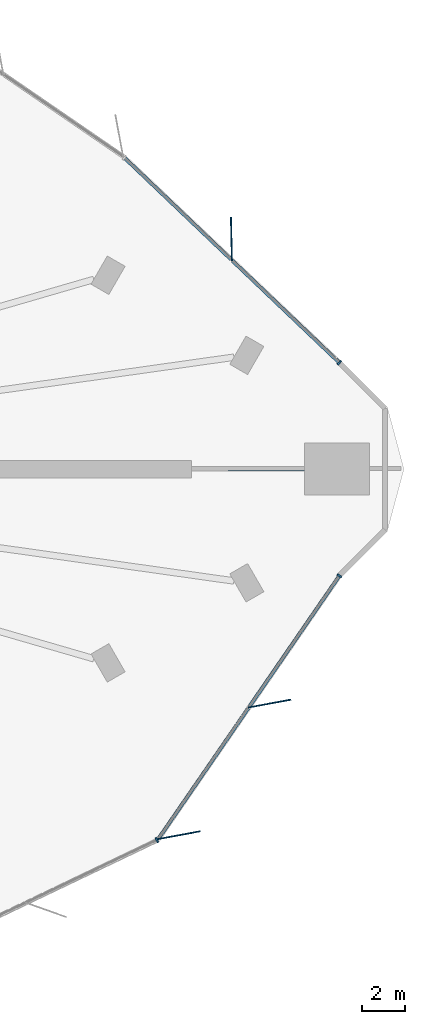
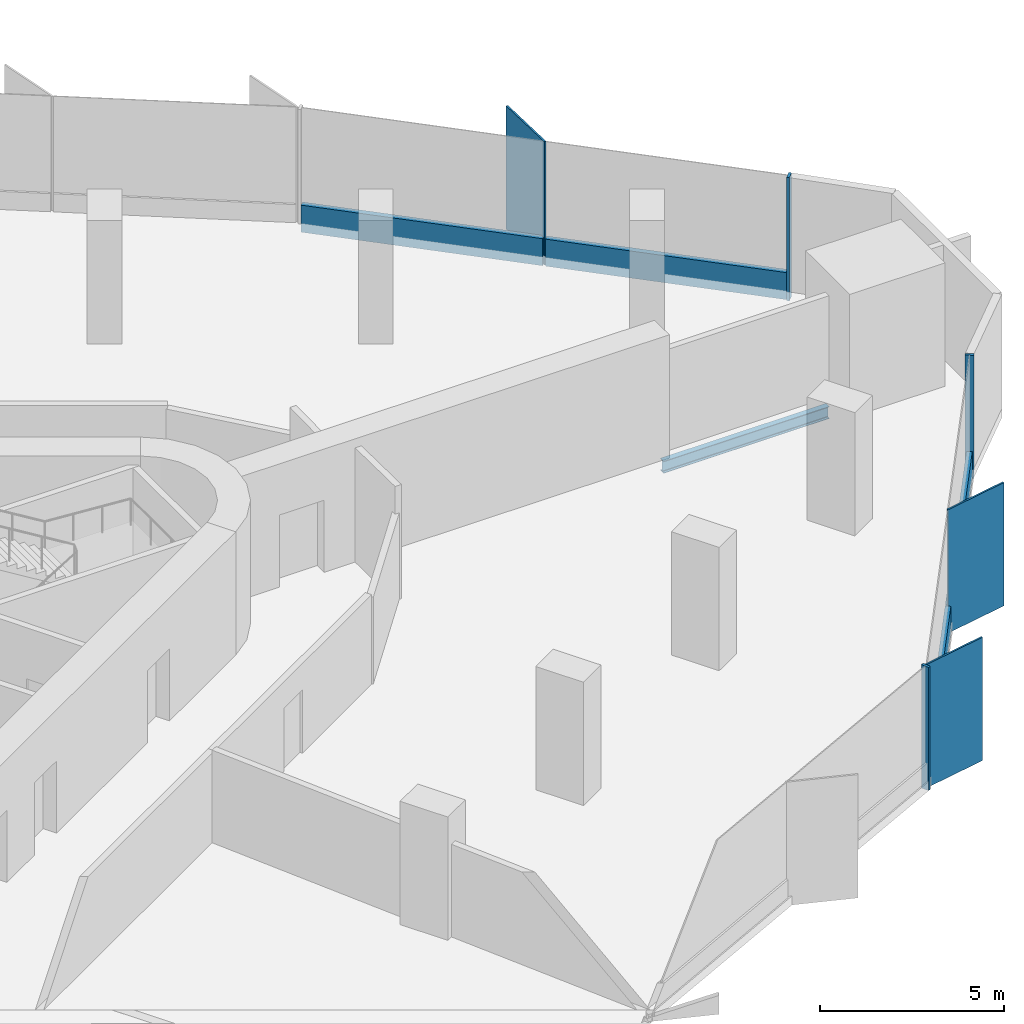
# One storey, part 6 of 14: 10 members, 1 beam, 3 elements without a shape of their own.
"""IFC4 building model written with IfcOpenShell, lengths in metres."""

from ifc_helpers import new_model, si_unit, direction, frame, origin, origin_2d, place, context, subcontext, project, spatial, rectangle, i_section, extrude, material, material_profile, profile_set, type_object, element, aggregate, save


model = new_model("IFC4")

# Units and contexts
model_context = context("Model", 3, precision=1e-05, world=origin(), true_north=direction((0.0, 1.0)))
body_context = subcontext(model_context, "Body", "Model", "MODEL_VIEW")
ifc_project = project(units=[si_unit("LENGTHUNIT", "METRE"), si_unit("AREAUNIT", "SQUARE_METRE"), si_unit("VOLUMEUNIT", "CUBIC_METRE"), si_unit("PLANEANGLEUNIT", "RADIAN"), si_unit("MASSUNIT", "GRAM", prefix="KILO")], contexts=[model_context])

# Site, building, storey
site_placement = place(None, origin())
site = spatial("IfcSite", under=ifc_project, at=site_placement, CompositionType="ELEMENT")
building_placement = place(site_placement, origin())
building = spatial("IfcBuilding", under=site, at=building_placement, Name="Tanit Gate Tower", CompositionType="ELEMENT")
storey_placement = place(building_placement, frame((0.0, 0.0, 90.60009765625)))
storey = spatial("IfcBuildingStorey", under=building, at=storey_placement, Name="L18", CompositionType="ELEMENT", Elevation=90.60009765625)

# Curtain wall, member
ifc_material_1 = material(Name="Aluminium bronze anodised and glass", Category="aluminium")
curtain_wall_type = type_object("IfcCurtainWallType", Name="Curtain wall typical low", PredefinedType="NOTDEFINED", material=ifc_material_1)
curtain_wall_1_placement = place(storey_placement, origin())
curtain_wall_1 = element("IfcCurtainWall", 1, at=curtain_wall_1_placement, inside=storey, type_object=curtain_wall_type, Name="Curtain wall L18 NE1", PredefinedType="NOTDEFINED")
ifc_material_2 = material(Name="Aluminium bronze anodised", Category="aluminium")
ifc_material_profile_1 = material_profile(ifc_material_2, rectangle(XDim=2.0, YDim=0.055908203125, at=origin_2d()), Name="56x2000 bronze fin mullion")
ifc_profile_set_1 = profile_set([ifc_material_profile_1], Name="Aluminium bronze anodised")
member_type_1 = type_object("IfcMemberType", Name="FIN MULLION 56x2000 bronze", PredefinedType="MULLION", material=ifc_profile_set_1)
member_1_placement = place(storey_placement, frame((36.457275390625, 10.611083984375, -0.300048828125), z_axis=(0.0, 0.0, 1.0), x_axis=(0.023942380676, -0.999713340117, 0.0)))
member_1 = element("IfcMember", 2, at=member_1_placement, type_object=member_type_1, Name="Fin mullion L18 NE1.2", PredefinedType="MULLION", context=body_context, shape_type="SweptSolid", body=[
    extrude(rectangle(XDim=2.0, YDim=0.055908203125, at=origin_2d()), origin(), (0.0, 0.0, 1.0), 4.099853515625),
])

# Curtain wall, members
curtain_wall_2_placement = place(storey_placement, origin())
curtain_wall_2 = element("IfcCurtainWall", 3, at=curtain_wall_2_placement, inside=storey, type_object=curtain_wall_type, Name="Curtain wall L18 SE3", PredefinedType="NOTDEFINED")
member_2_placement = place(storey_placement, frame((34.039794921875, -16.888916015625, -0.300048828125), z_axis=(0.0, 0.0, 1.0), x_axis=(-0.983361819077, -0.181657735267, 0.0)))
member_2 = element("IfcMember", 4, at=member_2_placement, type_object=member_type_1, Name="Fin mullion L18 SE3.1", PredefinedType="MULLION", context=body_context, shape_type="SweptSolid", body=[
    extrude(rectangle(XDim=2.0, YDim=0.055908203125, at=origin_2d()), origin(), (0.0, 0.0, 1.0), 4.099853515625),
])
member_3_placement = place(storey_placement, frame((38.21826171875, -10.817138671875, -0.300048828125), z_axis=(0.0, 0.0, 1.0), x_axis=(-0.983361819077, -0.181657735267, 0.0)))
member_3 = element("IfcMember", 5, at=member_3_placement, type_object=member_type_1, Name="Fin mullion L18 SE3.2", PredefinedType="MULLION", context=body_context, shape_type="SweptSolid", body=[
    extrude(rectangle(XDim=2.0, YDim=0.055908203125, at=origin_2d()), origin(), (0.0, 0.0, 1.0), 4.099853515625),
])

# Member
ifc_material_3 = material(Name="Aluminium bronze anodised", Category="aluminium")
ifc_material_profile_2 = material_profile(ifc_material_3, rectangle(XDim=0.239990234375, YDim=0.080078125, at=origin_2d()), Name="80x240 bronze mullion")
ifc_profile_set_2 = profile_set([ifc_material_profile_2], Name="Aluminium bronze anodised")
member_type_2 = type_object("IfcMemberType", Name="Mullion 80x240 typical low", PredefinedType="MULLION", material=ifc_profile_set_2)
member_4_placement = place(storey_placement, frame((41.43798828125, 4.90869140625, -0.300048828125), z_axis=(0.0, 0.0, 1.0), x_axis=(-0.689974262306, -0.723833901773, 0.0)))
member_4 = element("IfcMember", 6, at=member_4_placement, type_object=member_type_2, Name="Mullion L18 NE1.1", PredefinedType="MULLION", context=body_context, shape_type="SweptSolid", body=[
    extrude(rectangle(XDim=0.239990234375, YDim=0.080078125, at=origin_2d()), origin(), (0.0, 0.0, 1.0), 4.099853515625),
])

# Curtain wall, member
curtain_wall_3_placement = place(storey_placement, origin())
curtain_wall_3 = element("IfcCurtainWall", 7, at=curtain_wall_3_placement, inside=storey, type_object=curtain_wall_type, Name="Curtain wall L18 SE2", PredefinedType="NOTDEFINED")
member_5_placement = place(storey_placement, frame((33.02001953125, -17.11669921875, -0.300048828125), z_axis=(0.0, 0.0, 1.0), x_axis=(-0.431197182029, 0.902257718288, 0.0)))
member_5 = element("IfcMember", 8, at=member_5_placement, type_object=member_type_2, Name="Mullion L18 SE2.7", PredefinedType="MULLION", context=body_context, shape_type="SweptSolid", body=[
    extrude(rectangle(XDim=0.239990234375, YDim=0.080078125, at=origin_2d()), origin(), (0.0, 0.0, 1.0), 4.099853515625),
])
aggregate(curtain_wall_3, [member_5])

# Member
member_6_placement = place(storey_placement, frame((41.435546875, -4.9228515625, -0.300048828125), z_axis=(0.0, 0.0, 1.0), x_axis=(-0.823793227091, 0.566890394167, 0.0)))
member_6 = element("IfcMember", 9, at=member_6_placement, type_object=member_type_2, Name="Mullion L18 SE3.3", PredefinedType="MULLION", context=body_context, shape_type="SweptSolid", body=[
    extrude(rectangle(XDim=0.239990234375, YDim=0.080078125, at=origin_2d()), origin(), (0.0, 0.0, 1.0), 4.099853515625),
])

# Beam
ifc_material_4 = material(Name="Steel S355", Category="steel")
ifc_material_profile_3 = material_profile(ifc_material_4, i_section(OverallWidth=0.179931640625, OverallDepth=0.39990234375, WebThickness=0.008544921875, FlangeThickness=0.013427734375, FilletRadius=0.02099609375, at=origin_2d()), Name="IPE 400")
ifc_profile_set_3 = profile_set([ifc_material_profile_3], Name="Steel S355")
beam_type = type_object("IfcBeamType", Name="RADIAL GIRDER IPE 400 S355", PredefinedType="BEAM", material=ifc_profile_set_3)
beam_placement = place(storey_placement, frame((39.818359375, 0.0, -0.5), z_axis=(-1.0, 0.0, 0.0), x_axis=(0.0, -1.0, 0.0)))
element("IfcBeam", 10, at=beam_placement, inside=storey, type_object=beam_type, Name="RADIAL GIRDER", PredefinedType="BEAM", context=body_context, shape_type="SweptSolid", body=[
    extrude(i_section(OverallWidth=0.179931640625, OverallDepth=0.39990234375, WebThickness=0.008544921875, FlangeThickness=0.013427734375, FilletRadius=0.02099609375, at=origin_2d()), origin(), (0.0, 0.0, 1.0), 5.213134765625),
])

# Member
ifc_material_5 = material(Name="Aluminium bronze anodised", Category="aluminium")
ifc_material_profile_4 = material_profile(ifc_material_5, rectangle(XDim=0.159912109375, YDim=0.89990234375, at=origin_2d()), Name="160x900 bronze transom")
ifc_profile_set_4 = profile_set([ifc_material_profile_4], Name="Aluminium bronze anodised")
member_type_3 = type_object("IfcMemberType", Name="Transom 160x900 typical low", PredefinedType="USERDEFINED", material=ifc_profile_set_4)
member_7_placement = place(storey_placement, frame((41.408935546875, 4.936279296875, 0.14990234375), z_axis=(-0.723838500577, 0.689969437789, 0.0), x_axis=(-0.689969437789, -0.723838500577, 0.0)))
member_7 = element("IfcMember", 11, at=member_7_placement, type_object=member_type_3, Name="Transom L18 NE1.1", ObjectType="TRANSOM", PredefinedType="USERDEFINED", context=body_context, shape_type="SweptSolid", body=[
    extrude(rectangle(XDim=0.159912109375, YDim=0.89990234375, at=origin_2d()), origin(), (0.0, 0.0, 1.0), 6.7685546875),
])

member_8_placement = place(storey_placement, frame((36.45166015625, 9.66162109375, 0.14990234375), z_axis=(-0.723838500577, 0.689969437789, 0.0), x_axis=(-0.689969437789, -0.723838500577, 0.0)))
member_8 = element("IfcMember", 12, at=member_8_placement, type_object=member_type_3, Name="Transom L18 NE1.2", ObjectType="TRANSOM", PredefinedType="USERDEFINED", context=body_context, shape_type="SweptSolid", body=[
    extrude(rectangle(XDim=0.159912109375, YDim=0.89990234375, at=origin_2d()), origin(), (0.0, 0.0, 1.0), 6.7685546875),
])

aggregate(curtain_wall_1, [member_4, member_1, member_7, member_8])

member_9_placement = place(storey_placement, frame((33.101318359375, -17.033447265625, 0.14990234375), z_axis=(0.566903962364, 0.82378389002, 0.0), x_axis=(-0.82378389002, 0.566903962364, 0.0)))
member_9 = element("IfcMember", 13, at=member_9_placement, type_object=member_type_3, Name="Transom L18 SE3.1", ObjectType="TRANSOM", PredefinedType="USERDEFINED", context=body_context, shape_type="SweptSolid", body=[
    extrude(rectangle(XDim=0.159912109375, YDim=0.89990234375, at=origin_2d()), origin(), (0.0, 0.0, 1.0), 7.29052734375),
])

member_10_placement = place(storey_placement, frame((37.27978515625, -10.961669921875, 0.14990234375), z_axis=(0.566888323981, 0.823794651678, 0.0), x_axis=(-0.823794651678, 0.566888323981, 0.0)))
member_10 = element("IfcMember", 14, at=member_10_placement, type_object=member_type_3, Name="Transom L18 SE3.2", ObjectType="TRANSOM", PredefinedType="USERDEFINED", context=body_context, shape_type="SweptSolid", body=[
    extrude(rectangle(XDim=0.159912109375, YDim=0.89990234375, at=origin_2d()), origin(), (0.0, 0.0, 1.0), 7.290771484375),
])

aggregate(curtain_wall_2, [member_2, member_3, member_6, member_9, member_10])

save(model, "model.ifc")
